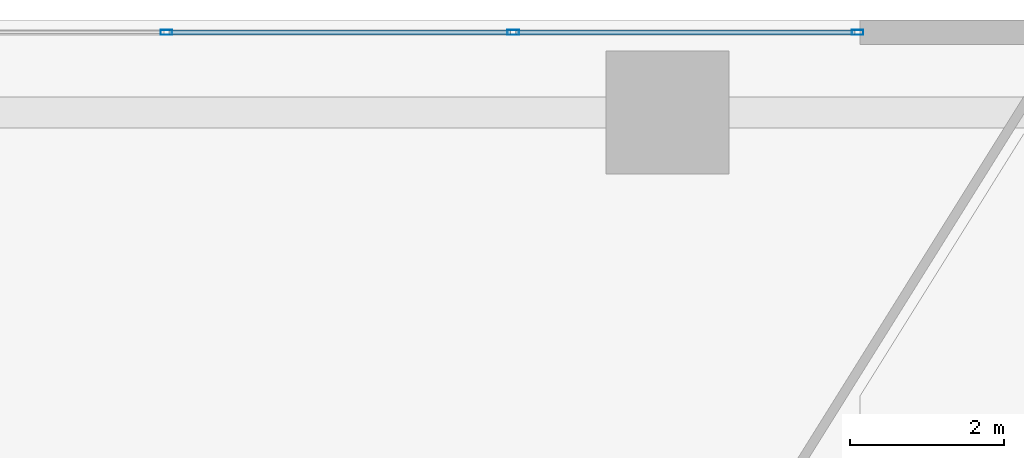
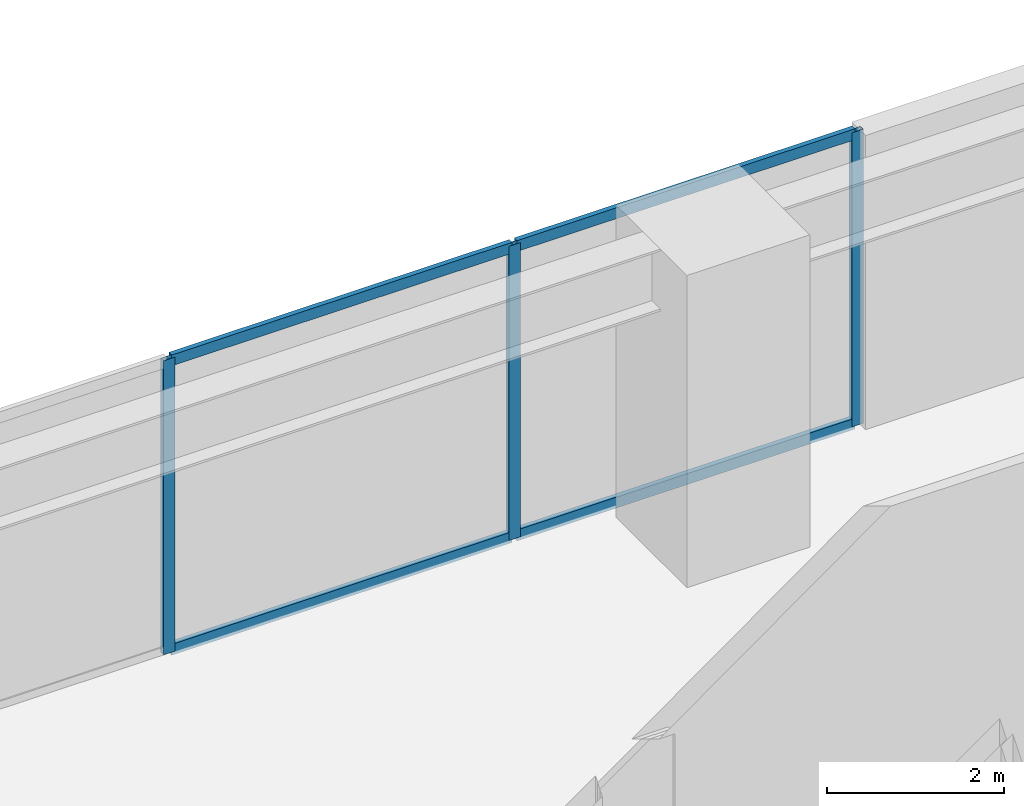
# One storey, part 12 of 24: 7 members, 1 element without a shape of its own.
"""IFC4 building model written with IfcOpenShell, lengths in metres."""

from ifc_helpers import new_model, si_unit, direction, frame, origin, origin_2d, place, context, subcontext, project, spatial, hollow_rectangle, extrude, source, transform, mapped, material, layer, layer_set, material_profile, profile_set, type_object, type_shapes, element, aggregate, save


model = new_model("IFC4")

# Units and contexts
model_context = context("Model", 3, precision=1e-05, world=origin(), true_north=direction((0.0, 1.0)))
body_context = subcontext(model_context, "Body", "Model", "MODEL_VIEW")
ifc_project = project(units=[si_unit("LENGTHUNIT", "METRE"), si_unit("AREAUNIT", "SQUARE_METRE"), si_unit("VOLUMEUNIT", "CUBIC_METRE"), si_unit("PLANEANGLEUNIT", "RADIAN"), si_unit("MASSUNIT", "GRAM", prefix="KILO")], contexts=[model_context])

# Site, building, storey
site_placement = place(None, origin())
site = spatial("IfcSite", under=ifc_project, at=site_placement, CompositionType="ELEMENT")
building_placement = place(site_placement, origin())
building = spatial("IfcBuilding", under=site, at=building_placement, Name="Talar Marvaseh", CompositionType="ELEMENT")
storey_placement = place(building_placement, frame((0.0, 0.0, 9.800048828125)))
storey = spatial("IfcBuildingStorey", under=building, at=storey_placement, Name="L02", CompositionType="ELEMENT", Elevation=9.800048828125)

# Curtain wall, members
ifc_material = material(Name="Architectural Aluminium", Category="aluminium")
ifc_layer = layer(ifc_material, 0.25)
ifc_layer_set = layer_set([ifc_layer], Name="Architectural Aluminium")
curtain_wall_type = type_object("IfcCurtainWallType", Name="Station Podium Monumental Iwan Curtain Wall", PredefinedType="NOTDEFINED", material=ifc_layer_set)
curtain_wall_placement = place(storey_placement, origin())
curtain_wall = element("IfcCurtainWall", 1, at=curtain_wall_placement, inside=storey, type_object=curtain_wall_type, Name="L02 Station Podium Monumental Iwan Curtain Wall", PredefinedType="NOTDEFINED")
ifc_material_profile_1 = material_profile(ifc_material, hollow_rectangle(XDim=0.06494140625, YDim=0.14990234375, WallThickness=0.00390625, at=origin_2d()), Name="RHS150x65x4")
ifc_profile_set_1 = profile_set([ifc_material_profile_1], Name="Architectural Aluminium")
member_type_1 = type_object("IfcMemberType", Name="Unitised Curtain Wall Slim Transom RHS150x65x4", PredefinedType="USERDEFINED", material=ifc_profile_set_1)
shared_shape_1 = source(origin(), body_context, "Body", "SweptSolid", [
    extrude(hollow_rectangle(XDim=0.06494140625, YDim=0.14990234375, WallThickness=0.00390625, at=origin_2d()), origin(), (0.0, 0.0, 1.0), 4.402587890625),
])
member_1_placement = place(storey_placement, frame((31.532470703125, 47.840087890625, 0.032470703125), z_axis=(1.0, 0.0, 0.0), x_axis=(0.0, 1.0, 0.0)))
member_1 = element("IfcMember", 2, at=member_1_placement, type_object=member_type_1, Name="CW-POD transom 4.1", ObjectType="TRANSOM", PredefinedType="USERDEFINED", context=body_context, shape_type="MappedRepresentation", body=[
    mapped(shared_shape_1, transform((0.0, 0.0, 0.0), x_axis=(1.0, 0.0, 0.0), y_axis=(0.0, 1.0, 0.0), z_axis=(0.0, 0.0, 1.0), scale=1.0)),
])
member_2_placement = place(storey_placement, frame((31.532470703125, 47.840087890625, 4.017333984375), z_axis=(1.0, 0.0, 0.0), x_axis=(0.0, 1.0, 0.0)))
member_2 = element("IfcMember", 3, at=member_2_placement, type_object=member_type_1, Name="CW-POD transom 4.2", ObjectType="TRANSOM", PredefinedType="USERDEFINED", context=body_context, shape_type="MappedRepresentation", body=[
    mapped(shared_shape_1, transform((0.0, 0.0, 0.0), x_axis=(1.0, 0.0, 0.0), y_axis=(0.0, 1.0, 0.0), z_axis=(0.0, 0.0, 1.0), scale=1.0)),
])
shared_shape_2 = source(origin(), body_context, "Body", "SweptSolid", [
    extrude(hollow_rectangle(XDim=0.06494140625, YDim=0.14990234375, WallThickness=0.00390625, at=origin_2d()), origin(), (0.0, 0.0, 1.0), 4.43505859375),
])
type_shapes(member_type_1, [shared_shape_1, shared_shape_2])
member_3_placement = place(storey_placement, frame((27.032470703125, 47.840087890625, 0.032470703125), z_axis=(1.0, 0.0, 0.0), x_axis=(0.0, 1.0, 0.0)))
member_3 = element("IfcMember", 4, at=member_3_placement, type_object=member_type_1, Name="CW-POD transom 3.1", ObjectType="TRANSOM", PredefinedType="USERDEFINED", context=body_context, shape_type="MappedRepresentation", body=[
    mapped(shared_shape_2, transform((0.0, 0.0, 0.0), x_axis=(1.0, 0.0, 0.0), y_axis=(0.0, 1.0, 0.0), z_axis=(0.0, 0.0, 1.0), scale=1.0)),
])
member_4_placement = place(storey_placement, frame((27.032470703125, 47.840087890625, 4.017333984375), z_axis=(1.0, 0.0, 0.0), x_axis=(0.0, 1.0, 0.0)))
member_4 = element("IfcMember", 5, at=member_4_placement, type_object=member_type_1, Name="CW-POD transom 3.2", ObjectType="TRANSOM", PredefinedType="USERDEFINED", context=body_context, shape_type="MappedRepresentation", body=[
    mapped(shared_shape_2, transform((0.0, 0.0, 0.0), x_axis=(1.0, 0.0, 0.0), y_axis=(0.0, 1.0, 0.0), z_axis=(0.0, 0.0, 1.0), scale=1.0)),
])
ifc_material_profile_2 = material_profile(ifc_material, hollow_rectangle(XDim=0.06494140625, YDim=0.14990234375, WallThickness=0.00390625, at=origin_2d()), Name="RHS150x65x4")
ifc_profile_set_2 = profile_set([ifc_material_profile_2], Name="Architectural Aluminium")
member_type_2 = type_object("IfcMemberType", Name="Unitised Curtain Wall Slim Mullion RHS150x65x4", PredefinedType="MULLION", material=ifc_profile_set_2)
shared_shape_3 = source(origin(), body_context, "Body", "SweptSolid", [
    extrude(hollow_rectangle(XDim=0.06494140625, YDim=0.14990234375, WallThickness=0.00390625, at=origin_2d()), origin(), (0.0, 0.0, 1.0), 4.050048828125),
])
type_shapes(member_type_2, [shared_shape_3])
member_5_placement = place(storey_placement, frame((27.0, 47.840087890625, 0.0), z_axis=(0.0, 0.0, 1.0), x_axis=(0.0, 1.0, 0.0)))
member_5 = element("IfcMember", 6, at=member_5_placement, type_object=member_type_2, Name="CW-POD mullion 3", PredefinedType="MULLION", context=body_context, shape_type="MappedRepresentation", body=[
    mapped(shared_shape_3, transform((0.0, 0.0, 0.0), x_axis=(1.0, 0.0, 0.0), y_axis=(0.0, 1.0, 0.0), z_axis=(0.0, 0.0, 1.0), scale=1.0)),
])
member_6_placement = place(storey_placement, frame((31.5, 47.840087890625, 0.0), z_axis=(0.0, 0.0, 1.0), x_axis=(0.0, 1.0, 0.0)))
member_6 = element("IfcMember", 7, at=member_6_placement, type_object=member_type_2, Name="CW-POD mullion 4", PredefinedType="MULLION", context=body_context, shape_type="MappedRepresentation", body=[
    mapped(shared_shape_3, transform((0.0, 0.0, 0.0), x_axis=(1.0, 0.0, 0.0), y_axis=(0.0, 1.0, 0.0), z_axis=(0.0, 0.0, 1.0), scale=1.0)),
])
member_7_placement = place(storey_placement, frame((35.967529296875, 47.840087890625, 0.0), z_axis=(0.0, 0.0, 1.0), x_axis=(0.0, 1.0, 0.0)))
member_7 = element("IfcMember", 8, at=member_7_placement, type_object=member_type_2, Name="CW-POD mullion 5", PredefinedType="MULLION", context=body_context, shape_type="MappedRepresentation", body=[
    mapped(shared_shape_3, transform((0.0, 0.0, 0.0), x_axis=(1.0, 0.0, 0.0), y_axis=(0.0, 1.0, 0.0), z_axis=(0.0, 0.0, 1.0), scale=1.0)),
])
aggregate(curtain_wall, [member_5, member_6, member_7, member_3, member_4, member_1, member_2])

save(model, "model.ifc")
